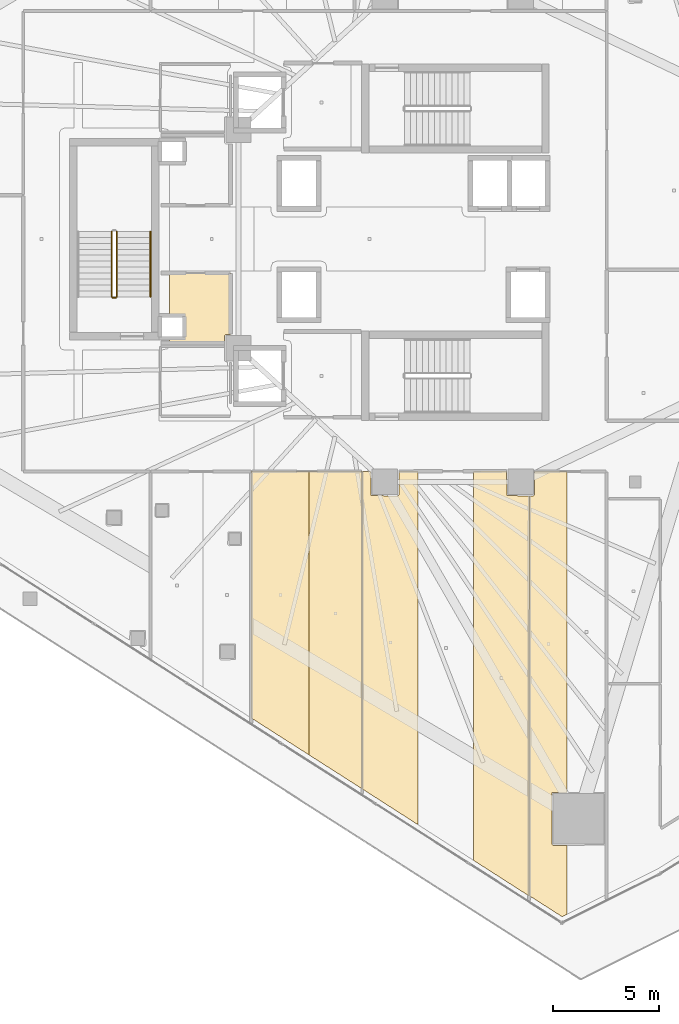
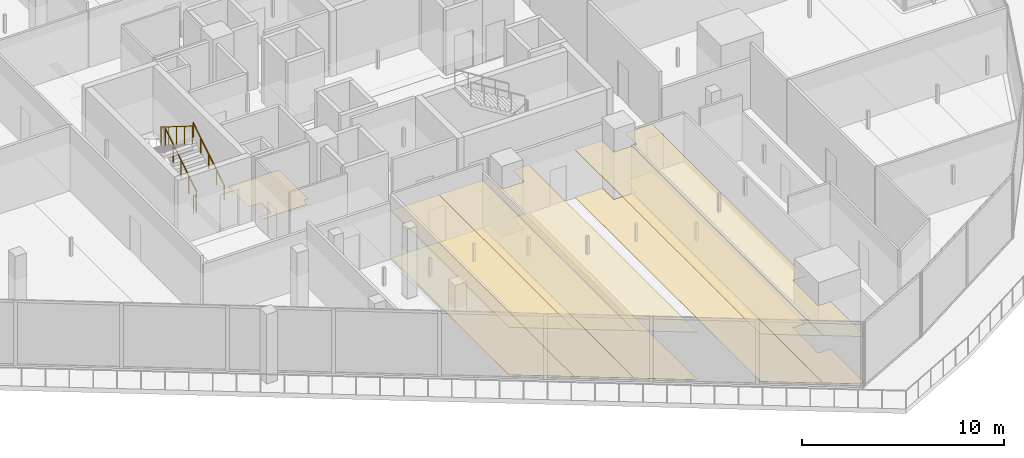
# One storey, part 37 of 44: 11 coverings, 4 railings.
"""IFC4 building model written with IfcOpenShell, lengths in metres."""

from ifc_helpers import new_model, si_unit, direction, frame, origin, origin_2d, place, context, subcontext, project, spatial, polyline, circle, outline, extrude, material, layer, layer_set, type_object, element, save


model = new_model("IFC4")

# Units and contexts
model_context = context("Model", 3, precision=1e-05, world=origin(), true_north=direction((0.0, 1.0)))
body_context = subcontext(model_context, "Body", "Model", "MODEL_VIEW")
ifc_project = project(units=[si_unit("LENGTHUNIT", "METRE"), si_unit("AREAUNIT", "SQUARE_METRE"), si_unit("VOLUMEUNIT", "CUBIC_METRE"), si_unit("PLANEANGLEUNIT", "RADIAN"), si_unit("MASSUNIT", "GRAM", prefix="KILO")], contexts=[model_context])

# Site, building, storey
site_placement = place(None, origin())
site = spatial("IfcSite", under=ifc_project, at=site_placement, CompositionType="ELEMENT")
building_placement = place(site_placement, origin())
building = spatial("IfcBuilding", under=site, at=building_placement, Name="Qorvath Tower", CompositionType="ELEMENT")
storey_placement = place(building_placement, frame((0.0, 0.0, 78.60009765625)))
storey = spatial("IfcBuildingStorey", under=building, at=storey_placement, Name="L17", CompositionType="ELEMENT", Elevation=78.60009765625)

# Coverings
ifc_material_1 = material(Name="Acoustic mineral fibre ceiling tile", Category="gypsum")
ifc_layer_1 = layer(ifc_material_1, 0.030029296875)
ifc_layer_set_1 = layer_set([ifc_layer_1], Name="COV-CEIL")
covering_type_1 = type_object("IfcCoveringType", Name="COV-CEIL", PredefinedType="CEILING", material=ifc_layer_set_1)
covering_1_placement = place(storey_placement, frame((0.0, 0.0, 2.849853515625)))
element("IfcCovering", 1, at=covering_1_placement, inside=storey, type_object=covering_type_1, Name="L17 Suspended Acoustic Ceiling 018", PredefinedType="CEILING", context=body_context, shape_type="SweptSolid", body=[
    extrude(outline(polyline([(-27.168701171875, -24.3251953125), (-27.168701171875, -10.962890625), (-29.883544921875, -10.962890625), (-29.883544921875, -22.590087890625), (-27.168701171875, -24.3251953125)])), origin(), (0.0, 0.0, 1.0), 0.030029296875),
])
covering_2_placement = place(storey_placement, frame((0.0, 0.0, 2.849853515625)))
element("IfcCovering", 2, at=covering_2_placement, inside=storey, type_object=covering_type_1, Name="L17 Suspended Acoustic Ceiling 019", PredefinedType="CEILING", context=body_context, shape_type="SweptSolid", body=[
    extrude(outline(polyline([(-24.671630859375, -10.962890625), (-27.168701171875, -10.962890625), (-27.168701171875, -24.3251953125), (-24.671630859375, -25.9208984375), (-24.671630859375, -10.962890625)])), origin(), (0.0, 0.0, 1.0), 0.030029296875),
])
covering_3_placement = place(storey_placement, frame((0.0, 0.0, 2.849853515625)))
element("IfcCovering", 3, at=covering_3_placement, inside=storey, type_object=covering_type_1, Name="L17 Suspended Acoustic Ceiling 020", PredefinedType="CEILING", context=body_context, shape_type="SweptSolid", body=[
    extrude(outline(polyline([(-24.65380859375, -25.9326171875), (-22.031005859375, -27.615478515625), (-22.031005859375, -10.958740234375), (-22.93994140625, -10.962890625), (-22.93994140625, -12.050048828125), (-23.0, -12.110107421875), (-24.242431640625, -12.092529296875), (-24.260009765625, -10.962890625), (-24.65380859375, -10.962890625), (-24.65380859375, -25.9326171875)])), origin(), (0.0, 0.0, 1.0), 0.030029296875),
])
covering_4_placement = place(storey_placement, frame((0.0, 0.0, 2.849853515625)))
element("IfcCovering", 4, at=covering_4_placement, inside=storey, type_object=covering_type_1, Name="L17 Suspended Acoustic Ceiling 022", PredefinedType="CEILING", context=body_context, shape_type="SweptSolid", body=[
    extrude(outline(polyline([(-19.408447265625, -10.947021484375), (-19.408447265625, -29.298095703125), (-16.80517578125, -30.968505859375), (-16.78564453125, -12.110107421875), (-17.842529296875, -12.092529296875), (-17.860107421875, -10.940185546875), (-19.408447265625, -10.947021484375)])), origin(), (0.0, 0.0, 1.0), 0.030029296875),
])
covering_5_placement = place(storey_placement, frame((0.0, 0.0, 2.849853515625)))
element("IfcCovering", 5, at=covering_5_placement, inside=storey, type_object=covering_type_1, Name="L17 Suspended Acoustic Ceiling 023", PredefinedType="CEILING", context=body_context, shape_type="SweptSolid", body=[
    extrude(outline(polyline([(-15.00830078125, -31.837158203125), (-15.00830078125, -28.5859375), (-15.664306640625, -28.5908203125), (-15.724365234375, -28.53076171875), (-15.706787109375, -26.08837890625), (-15.00830078125, -26.08837890625), (-15.00830078125, -10.962890625), (-16.5400390625, -10.962890625), (-16.5400390625, -12.050048828125), (-16.60009765625, -12.110107421875), (-16.767822265625, -12.110107421875), (-16.787353515625, -30.960205078125), (-15.236572265625, -31.951416015625), (-15.00830078125, -31.837158203125)])), origin(), (0.0, 0.0, 1.0), 0.030029296875),
])
ifc_material_2 = material(Name="Low-VOC modular carpet tile", Category="textile")
ifc_layer_2 = layer(ifc_material_2, 0.014892578125)
ifc_layer_set_2 = layer_set([ifc_layer_2], Name="COV-FLOOR-CPT")
covering_type_2 = type_object("IfcCoveringType", Name="COV-FLOOR-CPT", PredefinedType="FLOORING", material=ifc_layer_set_2)
covering_6_placement = place(storey_placement, origin())
element("IfcCovering", 6, at=covering_6_placement, inside=storey, type_object=covering_type_2, Name="L17 Floor Finish 006", PredefinedType="FLOORING", context=body_context, shape_type="SweptSolid", body=[
    extrude(outline(polyline([(-30.885009765625, -4.489990234375), (-30.885009765625, -1.60498046875), (-33.760009765625, -1.60498046875), (-33.760009765625, -3.636962890625), (-33.08837890625, -3.638427734375), (-33.0869140625, -4.6279296875), (-33.760009765625, -4.633056640625), (-33.760009765625, -4.89501953125), (-31.159912109375, -4.89501953125), (-31.159912109375, -4.550048828125), (-31.10009765625, -4.489990234375), (-30.885009765625, -4.489990234375)])), origin(), (0.0, 0.0, 1.0), 0.014892578125),
])
covering_7_placement = place(storey_placement, origin())
element("IfcCovering", 7, at=covering_7_placement, inside=storey, type_object=covering_type_2, Name="L17 Floor Finish 018", PredefinedType="FLOORING", context=body_context, shape_type="SweptSolid", body=[
    extrude(outline(polyline([(-27.168701171875, -24.3251953125), (-27.168701171875, -10.962890625), (-29.883544921875, -10.962890625), (-29.883544921875, -22.590087890625), (-27.168701171875, -24.3251953125)])), origin(), (0.0, 0.0, 1.0), 0.014892578125),
])
covering_8_placement = place(storey_placement, origin())
element("IfcCovering", 8, at=covering_8_placement, inside=storey, type_object=covering_type_2, Name="L17 Floor Finish 019", PredefinedType="FLOORING", context=body_context, shape_type="SweptSolid", body=[
    extrude(outline(polyline([(-24.671630859375, -10.962890625), (-27.168701171875, -10.962890625), (-27.168701171875, -24.3251953125), (-24.671630859375, -25.9208984375), (-24.671630859375, -10.962890625)])), origin(), (0.0, 0.0, 1.0), 0.014892578125),
])
covering_9_placement = place(storey_placement, origin())
element("IfcCovering", 9, at=covering_9_placement, inside=storey, type_object=covering_type_2, Name="L17 Floor Finish 020", PredefinedType="FLOORING", context=body_context, shape_type="SweptSolid", body=[
    extrude(outline(polyline([(-24.65380859375, -25.9326171875), (-22.031005859375, -27.615478515625), (-22.031005859375, -10.958740234375), (-22.93994140625, -10.962890625), (-22.93994140625, -12.050048828125), (-23.0, -12.110107421875), (-24.242431640625, -12.092529296875), (-24.260009765625, -10.962890625), (-24.65380859375, -10.962890625), (-24.65380859375, -25.9326171875)])), origin(), (0.0, 0.0, 1.0), 0.014892578125),
])
covering_10_placement = place(storey_placement, origin())
element("IfcCovering", 10, at=covering_10_placement, inside=storey, type_object=covering_type_2, Name="L17 Floor Finish 022", PredefinedType="FLOORING", context=body_context, shape_type="SweptSolid", body=[
    extrude(outline(polyline([(-19.408447265625, -10.947021484375), (-19.408447265625, -29.298095703125), (-16.80517578125, -30.968505859375), (-16.78564453125, -12.110107421875), (-17.842529296875, -12.092529296875), (-17.860107421875, -10.940185546875), (-19.408447265625, -10.947021484375)])), origin(), (0.0, 0.0, 1.0), 0.014892578125),
])
covering_11_placement = place(storey_placement, origin())
element("IfcCovering", 11, at=covering_11_placement, inside=storey, type_object=covering_type_2, Name="L17 Floor Finish 023", PredefinedType="FLOORING", context=body_context, shape_type="SweptSolid", body=[
    extrude(outline(polyline([(-15.00830078125, -31.837158203125), (-15.00830078125, -28.5859375), (-15.664306640625, -28.5908203125), (-15.724365234375, -28.53076171875), (-15.706787109375, -26.08837890625), (-15.00830078125, -26.08837890625), (-15.00830078125, -10.962890625), (-16.5400390625, -10.962890625), (-16.5400390625, -12.050048828125), (-16.60009765625, -12.110107421875), (-16.767822265625, -12.110107421875), (-16.787353515625, -30.960205078125), (-15.236572265625, -31.951416015625), (-15.00830078125, -31.837158203125)])), origin(), (0.0, 0.0, 1.0), 0.014892578125),
])

# Railings
ifc_material_3 = material(Name="Painted galvanised steel", Category="steel")
railing_type_1 = type_object("IfcRailingType", Name="RL-STR-GRD", PredefinedType="GUARDRAIL", material=ifc_material_3)
railing_1_placement = place(storey_placement, frame((-36.22998046875, -2.719970703125, 0.1748046875)))
element("IfcRailing", 12, at=railing_1_placement, inside=storey, type_object=railing_type_1, Name="L17 TS3 stair guard 1", PredefinedType="GUARDRAIL", context=body_context, shape_type="SweptSolid", body=[
    extrude(circle(Radius=0.02392578125, at=origin_2d()), frame((0.0, 0.0, 1.076171875), z_axis=(0.0, 0.847998304005, 0.529998940003), x_axis=(-1.0, 0.0, 0.0)), (0.0, 0.0, 1.0), 3.632080078125),
    extrude(circle(Radius=0.02099609375, at=origin_2d()), origin(), (0.0, 0.0, 1.0), 1.052001953125),
    extrude(circle(Radius=0.02099609375, at=origin_2d()), frame((0.0, 0.77001953125, 0.481201171875)), (0.0, 0.0, 1.0), 1.052001953125),
    extrude(circle(Radius=0.02099609375, at=origin_2d()), frame((0.0, 1.5400390625, 0.96240234375)), (0.0, 0.0, 1.0), 1.052001953125),
    extrude(circle(Radius=0.02099609375, at=origin_2d()), frame((0.0, 2.31005859375, 1.44384765625)), (0.0, 0.0, 1.0), 1.052001953125),
    extrude(circle(Radius=0.02099609375, at=origin_2d()), frame((0.0, 3.080078125, 1.925048828125)), (0.0, 0.0, 1.0), 1.052001953125),
])
railing_2_placement = place(storey_placement, frame((-36.47998046875, 0.360107421875, 2.27490234375)))
element("IfcRailing", 13, at=railing_2_placement, inside=storey, type_object=railing_type_1, Name="L17 TS3 stair guard 3", PredefinedType="GUARDRAIL", context=body_context, shape_type="SweptSolid", body=[
    extrude(circle(Radius=0.02392578125, at=origin_2d()), frame((0.0, 0.0, 1.076171875), z_axis=(0.0, -0.847998304005, 0.529998940003), x_axis=(1.0, 0.0, 0.0)), (0.0, 0.0, 1.0), 3.632080078125),
    extrude(circle(Radius=0.02099609375, at=origin_2d()), origin(), (0.0, 0.0, 1.0), 1.052001953125),
    extrude(circle(Radius=0.02099609375, at=origin_2d()), frame((0.0, -0.77001953125, 0.481201171875)), (0.0, 0.0, 1.0), 1.052001953125),
    extrude(circle(Radius=0.02099609375, at=origin_2d()), frame((0.0, -1.5400390625, 0.96240234375)), (0.0, 0.0, 1.0), 1.052001953125),
    extrude(circle(Radius=0.02099609375, at=origin_2d()), frame((0.0, -2.31005859375, 1.44384765625)), (0.0, 0.0, 1.0), 1.052001953125),
    extrude(circle(Radius=0.02099609375, at=origin_2d()), frame((0.0, -3.080078125, 1.925048828125)), (0.0, 0.0, 1.0), 1.052001953125),
])
railing_3_placement = place(storey_placement, frame((-36.280029296875, -2.77001953125, 0.0)))
element("IfcRailing", 14, at=railing_3_placement, inside=storey, type_object=railing_type_1, Name="L17 TS3 stair guard 4", PredefinedType="GUARDRAIL", context=body_context, shape_type="SweptSolid", body=[
    extrude(circle(Radius=0.02392578125, at=origin_2d()), frame((0.0, 0.0, 1.076171875), z_axis=(-1.0, 0.0, 0.0), x_axis=(0.0, -1.0, 0.0)), (0.0, 0.0, 1.0), 0.14990234375),
    extrude(circle(Radius=0.02099609375, at=origin_2d()), origin(), (0.0, 0.0, 1.0), 1.052001953125),
    extrude(circle(Radius=0.02099609375, at=origin_2d()), frame((-0.14990234375, 0.0, 0.0)), (0.0, 0.0, 1.0), 1.052001953125),
])
ifc_material_4 = material(Name="Brushed stainless steel AISI 304", Category="steel")
railing_type_2 = type_object("IfcRailingType", Name="RL-STR-HND", PredefinedType="HANDRAIL", material=ifc_material_4)
railing_4_placement = place(storey_placement, frame((-34.64990234375, -2.719970703125, 0.1748046875)))
element("IfcRailing", 15, at=railing_4_placement, inside=storey, type_object=railing_type_2, Name="L17 TS3 stair handrail 1", PredefinedType="HANDRAIL", context=body_context, shape_type="SweptSolid", body=[
    extrude(circle(Radius=0.02392578125, at=origin_2d()), frame((0.0, 0.0, 0.8759765625), z_axis=(0.0, 0.847998304005, 0.529998940003), x_axis=(-1.0, 0.0, 0.0)), (0.0, 0.0, 1.0), 3.632080078125),
    extrude(circle(Radius=0.02099609375, at=origin_2d()), origin(), (0.0, 0.0, 1.0), 0.851806640625),
    extrude(circle(Radius=0.02099609375, at=origin_2d()), frame((0.0, 0.77001953125, 0.481201171875)), (0.0, 0.0, 1.0), 0.851806640625),
    extrude(circle(Radius=0.02099609375, at=origin_2d()), frame((0.0, 1.5400390625, 0.96240234375)), (0.0, 0.0, 1.0), 0.851806640625),
    extrude(circle(Radius=0.02099609375, at=origin_2d()), frame((0.0, 2.31005859375, 1.44384765625)), (0.0, 0.0, 1.0), 0.851806640625),
    extrude(circle(Radius=0.02099609375, at=origin_2d()), frame((0.0, 3.080078125, 1.925048828125)), (0.0, 0.0, 1.0), 0.851806640625),
])

save(model, "model.ifc")
